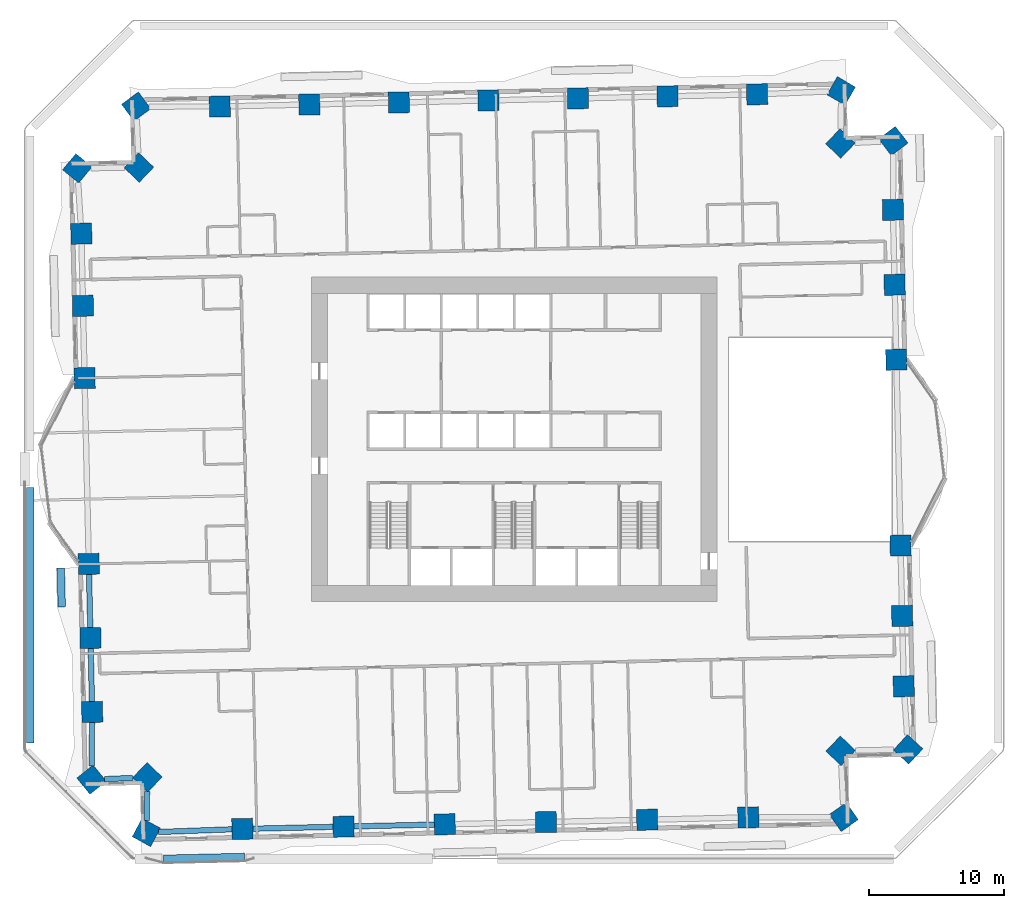
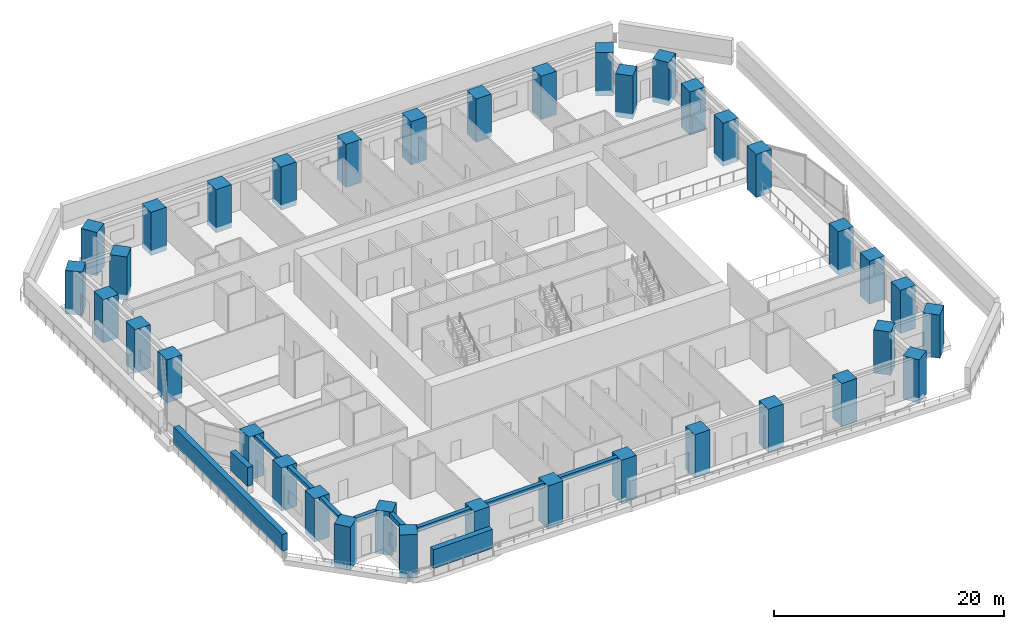
# One storey, part 1 of 21: 37 columns, 8 beams, 3 members.
"""IFC4 building model written with IfcOpenShell, lengths in metres."""

from ifc_helpers import new_model, si_unit, direction, frame, origin, origin_2d, place, context, subcontext, project, spatial, rectangle, extrude, material, material_profile, profile_set, type_object, element, save


model = new_model("IFC4")

# Units and contexts
model_context = context("Model", 3, precision=1e-05, world=origin(), true_north=direction((0.0, 1.0)))
body_context = subcontext(model_context, "Body", "Model", "MODEL_VIEW")
ifc_project = project(units=[si_unit("LENGTHUNIT", "METRE"), si_unit("AREAUNIT", "SQUARE_METRE"), si_unit("VOLUMEUNIT", "CUBIC_METRE"), si_unit("PLANEANGLEUNIT", "RADIAN"), si_unit("MASSUNIT", "GRAM", prefix="KILO")], contexts=[model_context])

# Site, building, storey
site_placement = place(None, origin())
site = spatial("IfcSite", under=ifc_project, at=site_placement, CompositionType="ELEMENT")
building_placement = place(site_placement, origin())
building = spatial("IfcBuilding", under=site, at=building_placement, Name="Mangrove Gate Tower", CompositionType="ELEMENT")
storey_placement = place(building_placement, frame((0.0, 0.0, 29.5)))
storey = spatial("IfcBuildingStorey", under=building, at=storey_placement, Name="L06", CompositionType="ELEMENT", Elevation=29.5)

# Columns
ifc_material_1 = material(Name="Concrete C70/85", Category="concrete")
ifc_material_profile_1 = material_profile(ifc_material_1, rectangle(XDim=1.550048828125, YDim=1.550048828125, at=origin_2d()))
ifc_profile_set_1 = profile_set([ifc_material_profile_1], Name="Concrete C70/85")
column_type = type_object("IfcColumnType", Name="Column RC 1550x1550 C70/85", PredefinedType="COLUMN", material=ifc_profile_set_1)
for number, where, z_axis, x_axis, name in (
    (1, (-31.461181640625, -9.204345703125, -0.550048828125), (0.0, 0.0, 1.0), (0.022677684385, -0.999742828247, 0.0), "Column L06 W06"),
    (2, (-31.337158203125, -14.678466796875, -0.550048828125), (0.0, 0.0, 1.0), (0.022648789156, -0.999743483274, 0.0), "Column L06 W07"),
    (3, (-31.213134765625, -20.1513671875, -0.550048828125), (0.0, 0.0, 1.0), (0.022740081264, -0.999741410918, 0.0), "Column L06 W08"),
    (4, (-31.259033203125, -25.157470703125, -0.550048828125), (0.0, 0.0, 1.0), (0.626513761853, -0.779410358033, 0.0), "Column L06 W09"),
    (5, (-27.129638671875, -24.986572265625, -0.550048828125), (0.0, 0.0, 1.0), (0.723003777622, -0.690844076144, 0.0), "Column L06 W10"),
    (6, (-27.205078125, -29.061767578125, -0.550048828125), (0.0, 0.0, 1.0), (0.88296485665, -0.469439092877, 0.0), "Column L06 S01"),
    (7, (-20.1025390625, -28.80224609375, -0.550048828125), (0.0, 0.0, 1.0), (0.999743591179, 0.022644025629, 0.0), "Column L06 S02"),
    (8, (-12.61962890625, -28.632080078125, -0.550048828125), (0.0, 0.0, 1.0), (0.999742076866, 0.022710784754, 0.0), "Column L06 S03"),
    (9, (-5.135498046875, -28.462158203125, -0.550048828125), (0.0, 0.0, 1.0), (0.999742111349, 0.022709266709, 0.0), "Column L06 S04"),
    (10, (2.348388671875, -28.292236328125, -0.550048828125), (0.0, 0.0, 1.0), (0.999742111349, 0.022709266709, 0.0), "Column L06 S05"),
    (11, (9.83251953125, -28.122314453125, -0.550048828125), (0.0, 0.0, 1.0), (0.999742076866, 0.022710784754, 0.0), "Column L06 S06"),
    (12, (17.3154296875, -27.9521484375, -0.550048828125), (0.0, 0.0, 1.0), (0.999743591179, 0.022644025629, 0.0), "Column L06 S07"),
    (13, (24.3720703125, -27.92333984375, -0.550048828125), (0.0, 0.0, 1.0), (0.818798537757, 0.574080965166, 0.0), "Column L06 S08"),
    (14, (24.143798828125, -23.023681640625, -0.550048828125), (0.0, 0.0, 1.0), (0.690875836988, 0.722973428188, 0.0), "Column L06 E01"),
    (15, (29.1318359375, -22.921142578125, -0.550048828125), (0.0, 0.0, 1.0), (0.675975496551, 0.736924099255, 0.0), "Column L06 E02"),
    (16, (28.80908203125, -18.256591796875, -0.550048828125), (0.0, 0.0, 1.0), (-0.022754110081, 0.99974109172, 0.0), "Column L06 E03"),
    (17, (28.691162109375, -13.049560546875, -0.550048828125), (0.0, 0.0, 1.0), (-0.022655978068, 0.999743320387, 0.0), "Column L06 E04"),
    (18, (28.5732421875, -7.842529296875, -0.550048828125), (0.0, 0.0, 1.0), (-0.022680668131, 0.999742760561, 0.0), "Column L06 E05"),
    (19, (28.26123046875, 5.904296875, -0.550048828125), (0.0, 0.0, 1.0), (-0.022703735442, 0.999742236978, 0.0), "Column L06 E06"),
    (20, (28.13525390625, 11.4443359375, -0.550048828125), (0.0, 0.0, 1.0), (-0.022645578574, 0.999743556004, 0.0), "Column L06 E07"),
    (21, (28.01025390625, 16.9853515625, -0.550048828125), (0.0, 0.0, 1.0), (-0.022645578574, 0.999743556004, 0.0), "Column L06 E08"),
    (22, (28.041015625, 22.0751953125, -0.550048828125), (0.0, 0.0, 1.0), (-0.60357593887, 0.797305516109, 0.0), "Column L06 E09"),
    (23, (24.12451171875, 21.8916015625, -0.550048828125), (0.0, 0.0, 1.0), (-0.723010312757, 0.690837236726, 0.0), "Column L06 E10"),
    (24, (24.18359375, 25.778564453125, -0.550048828125), (0.0, 0.0, 1.0), (-0.867550504106, 0.497349095531, 0.0), "Column L06 N01"),
    (25, (17.963623046875, 25.526123046875, -0.550048828125), (0.0, 0.0, 1.0), (-0.999741913532, -0.022717973655, 0.0), "Column L06 N02"),
    (26, (11.340576171875, 25.375244140625, -0.550048828125), (0.0, 0.0, 1.0), (-0.999741952388, -0.022716263674, 0.0), "Column L06 N03"),
    (27, (4.716552734375, 25.22509765625, -0.550048828125), (0.0, 0.0, 1.0), (-0.999743663498, -0.022640832496, 0.0), "Column L06 N04"),
    (28, (-1.906494140625, 25.0751953125, -0.550048828125), (0.0, 0.0, 1.0), (-0.999741913532, -0.022717973655, 0.0), "Column L06 N05"),
    (29, (-8.529296875, 24.92431640625, -0.550048828125), (0.0, 0.0, 1.0), (-0.999741952388, -0.022716263674, 0.0), "Column L06 N06"),
    (30, (-15.153564453125, 24.774169921875, -0.550048828125), (0.0, 0.0, 1.0), (-0.999743663498, -0.022640832496, 0.0), "Column L06 N07"),
    (31, (-21.7763671875, 24.624267578125, -0.550048828125), (0.0, 0.0, 1.0), (-0.999743624771, -0.02264254248, 0.0), "Column L06 N08"),
    (32, (-27.960693359375, 24.62255859375, -0.550048828125), (0.0, 0.0, 1.0), (-0.808269368168, -0.588812897686, 0.0), "Column L06 N09"),
    (33, (-27.752685546875, 20.114501953125, -0.550048828125), (0.0, 0.0, 1.0), (-0.690863130287, -0.722985570541, 0.0), "Column L06 W01"),
    (34, (-32.3134765625, 20.052734375, -0.550048828125), (0.0, 0.0, 1.0), (-0.63510539695, -0.772425488164, 0.0), "Column L06 W02"),
    (35, (-32.01513671875, 15.22265625, -0.550048828125), (0.0, 0.0, 1.0), (0.022746921185, -0.999741255314, 0.0), "Column L06 W03"),
    (36, (-31.894287109375, 9.882568359375, -0.550048828125), (0.0, 0.0, 1.0), (0.022653360746, -0.999743379696, 0.0), "Column L06 W04"),
    (37, (-31.773193359375, 4.54248046875, -0.550048828125), (0.0, 0.0, 1.0), (0.022679760793, -0.999742781144, 0.0), "Column L06 W05"),
):
    element("IfcColumn", number, at=place(storey_placement, frame(where, z_axis=z_axis, x_axis=x_axis)), inside=storey, type_object=column_type, Name=name, PredefinedType="COLUMN", context=body_context, shape_type="SweptSolid", body=[
        extrude(rectangle(XDim=1.550048828125, YDim=1.550048828125, at=origin_2d()), origin(), (0.0, 0.0, 1.0), 4.60009765625),
    ])

# Members
ifc_material_2 = material(Name="Planting on aluminium trellis", Category="aluminium")
ifc_material_profile_2 = material_profile(ifc_material_2, rectangle(XDim=0.550048828125, YDim=2.0, at=origin_2d()))
ifc_profile_set_2 = profile_set([ifc_material_profile_2], Name="Planting on aluminium trellis")
member_type_1 = type_object("IfcMemberType", Name="Balcony greenery screen 550x2000", PredefinedType="USERDEFINED", material=ifc_profile_set_2)
member_1_placement = place(storey_placement, frame((-33.464111328125, -12.375, 1.800048828125), z_axis=(-0.022929749512, 0.99973707873, 0.0), x_axis=(-0.99973707873, -0.022929749512, 0.0)))
element("IfcMember", 38, at=member_1_placement, inside=storey, type_object=member_type_1, Name="GREEN SCREEN L06 W1.1", ObjectType="PLANTING", PredefinedType="USERDEFINED", context=body_context, shape_type="SweptSolid", body=[
    extrude(rectangle(XDim=0.550048828125, YDim=2.0, at=origin_2d()), origin(), (0.0, 0.0, 1.0), 2.874755859375),
])
member_2_placement = place(storey_placement, frame((-25.94091796875, -31.009033203125, 1.800048828125), z_axis=(0.999743178102, 0.022662255828, 0.0), x_axis=(-0.022662255828, 0.999743178102, 0.0)))
element("IfcMember", 39, at=member_2_placement, inside=storey, type_object=member_type_1, Name="GREEN SCREEN L06 S0.1", ObjectType="PLANTING", PredefinedType="USERDEFINED", context=body_context, shape_type="SweptSolid", body=[
    extrude(rectangle(XDim=0.550048828125, YDim=2.0, at=origin_2d()), origin(), (0.0, 0.0, 1.0), 6.00048828125),
])

# Beams
ifc_material_3 = material(Name="Concrete C50/60", Category="concrete")
ifc_material_profile_3 = material_profile(ifc_material_3, rectangle(XDim=0.39990234375, YDim=0.5, at=origin_2d()))
ifc_profile_set_3 = profile_set([ifc_material_profile_3], Name="Concrete C50/60")
beam_type = type_object("IfcBeamType", Name="Edge beam RC 400x500 C50/60", PredefinedType="BEAM", material=ifc_profile_set_3)
beam_1_placement = place(storey_placement, frame((-31.443603515625, -9.979248046875, 3.800048828125), z_axis=(0.022639461541, -0.999743694544, 0.0), x_axis=(0.999743694544, 0.022639461541, 0.0)))
element("IfcBeam", 40, at=beam_1_placement, inside=storey, type_object=beam_type, Name="Edge beam L06 00", PredefinedType="BEAM", context=body_context, shape_type="SweptSolid", body=[
    extrude(rectangle(XDim=0.39990234375, YDim=0.5, at=origin_2d()), origin(), (0.0, 0.0, 1.0), 3.92529296875),
])
beam_2_placement = place(storey_placement, frame((-31.319580078125, -15.453369140625, 3.800048828125), z_axis=(0.022646502382, -0.999743535078, 0.0), x_axis=(0.999743535078, 0.022646502382, 0.0)))
element("IfcBeam", 41, at=beam_2_placement, inside=storey, type_object=beam_type, Name="Edge beam L06 01", PredefinedType="BEAM", context=body_context, shape_type="SweptSolid", body=[
    extrude(rectangle(XDim=0.39990234375, YDim=0.5, at=origin_2d()), origin(), (0.0, 0.0, 1.0), 3.924072265625),
])
beam_3_placement = place(storey_placement, frame((-31.22021484375, -20.9267578125, 3.800048828125), z_axis=(-0.009148263769, -0.999958153759, 0.0), x_axis=(0.999958153759, -0.009148263769, 0.0)))
element("IfcBeam", 42, at=beam_3_placement, inside=storey, type_object=beam_type, Name="Edge beam L06 02", PredefinedType="BEAM", context=body_context, shape_type="SweptSolid", body=[
    extrude(rectangle(XDim=0.39990234375, YDim=0.5, at=origin_2d()), origin(), (0.0, 0.0, 1.0), 3.229248046875),
])
beam_4_placement = place(storey_placement, frame((-30.296630859375, -25.11767578125, 3.800048828125), z_axis=(0.999147563526, 0.041281306896, 0.0), x_axis=(-0.041281306896, 0.999147563526, 0.0)))
element("IfcBeam", 43, at=beam_4_placement, inside=storey, type_object=beam_type, Name="Edge beam L06 03", PredefinedType="BEAM", context=body_context, shape_type="SweptSolid", body=[
    extrude(rectangle(XDim=0.39990234375, YDim=0.5, at=origin_2d()), origin(), (0.0, 0.0, 1.0), 2.093505859375),
])
beam_5_placement = place(storey_placement, frame((-27.149169921875, -26.0400390625, 3.800048828125), z_axis=(-0.018483855383, -0.999829158952, 0.0), x_axis=(0.999829158952, -0.018483855383, 0.0)))
element("IfcBeam", 44, at=beam_5_placement, inside=storey, type_object=beam_type, Name="Edge beam L06 04", PredefinedType="BEAM", context=body_context, shape_type="SweptSolid", body=[
    extrude(rectangle(XDim=0.39990234375, YDim=0.5, at=origin_2d()), origin(), (0.0, 0.0, 1.0), 2.153076171875),
])
beam_6_placement = place(storey_placement, frame((-26.31005859375, -29.029052734375, 3.800048828125), z_axis=(0.999333286168, 0.036510041866, 0.0), x_axis=(-0.036510041866, 0.999333286168, 0.0)))
element("IfcBeam", 45, at=beam_6_placement, inside=storey, type_object=beam_type, Name="Edge beam L06 05", PredefinedType="BEAM", context=body_context, shape_type="SweptSolid", body=[
    extrude(rectangle(XDim=0.39990234375, YDim=0.5, at=origin_2d()), origin(), (0.0, 0.0, 1.0), 5.4365234375),
])
beam_7_placement = place(storey_placement, frame((-19.32763671875, -28.78466796875, 3.800048828125), z_axis=(0.999742154006, 0.022707388759, 0.0), x_axis=(-0.022707388759, 0.999742154006, 0.0)))
element("IfcBeam", 46, at=beam_7_placement, inside=storey, type_object=beam_type, Name="Edge beam L06 06", PredefinedType="BEAM", context=body_context, shape_type="SweptSolid", body=[
    extrude(rectangle(XDim=0.39990234375, YDim=0.5, at=origin_2d()), origin(), (0.0, 0.0, 1.0), 5.934814453125),
])
beam_8_placement = place(storey_placement, frame((-11.8447265625, -28.614501953125, 3.800048828125), z_axis=(0.999742238829, 0.02270365392, 0.0), x_axis=(-0.02270365392, 0.999742238829, 0.0)))
element("IfcBeam", 47, at=beam_8_placement, inside=storey, type_object=beam_type, Name="Edge beam L06 07", PredefinedType="BEAM", context=body_context, shape_type="SweptSolid", body=[
    extrude(rectangle(XDim=0.39990234375, YDim=0.5, at=origin_2d()), origin(), (0.0, 0.0, 1.0), 5.935791015625),
])

# Member
ifc_material_4 = material(Name="Planting on aluminium trellis", Category="aluminium")
ifc_material_profile_4 = material_profile(ifc_material_4, rectangle(XDim=0.550048828125, YDim=1.800048828125, at=origin_2d()))
ifc_profile_set_4 = profile_set([ifc_material_profile_4], Name="Planting on aluminium trellis")
member_type_2 = type_object("IfcMemberType", Name="Roof greenery screen 550x1800", PredefinedType="USERDEFINED", material=ifc_profile_set_4)
member_3_placement = place(storey_placement, frame((-35.784912109375, -22.443115234375, 1.699951171875), z_axis=(0.0, 1.0, 0.0), x_axis=(-1.0, 0.0, 0.0)))
element("IfcMember", 48, at=member_3_placement, inside=storey, type_object=member_type_2, Name="GREEN SCREEN L06 T1.1.20", ObjectType="PLANTING", PredefinedType="USERDEFINED", context=body_context, shape_type="SweptSolid", body=[
    extrude(rectangle(XDim=0.550048828125, YDim=1.800048828125, at=origin_2d()), origin(), (0.0, 0.0, 1.0), 18.906005859375),
])

save(model, "model.ifc")
